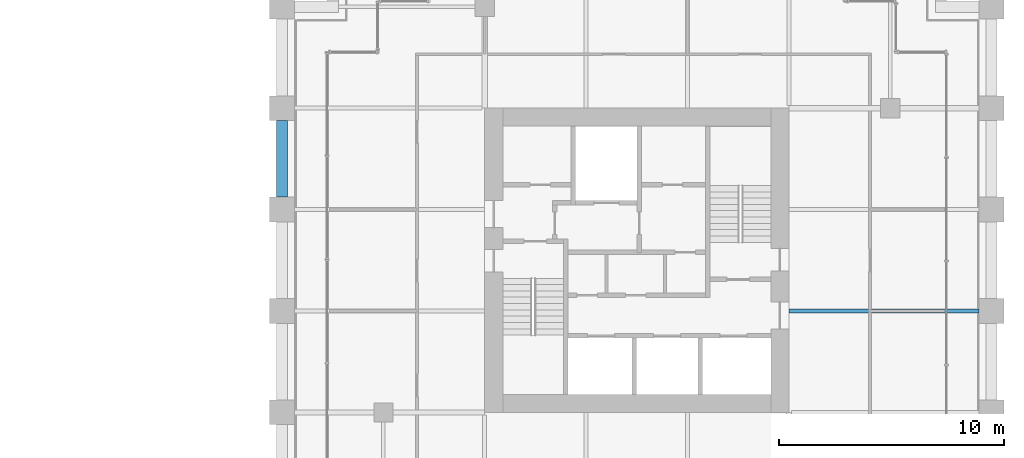
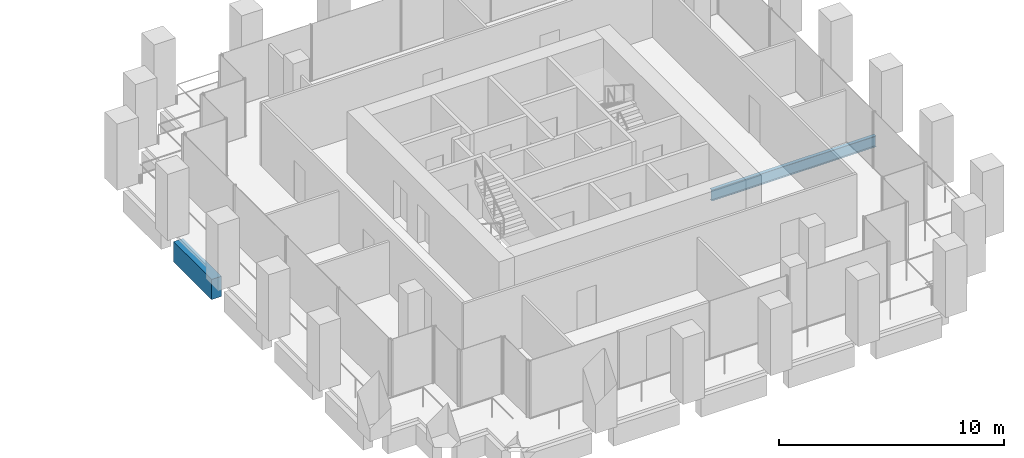
# One storey, part 39 of 56: 2 beams.
"""IFC4 building model written with IfcOpenShell, lengths in metres."""

from ifc_helpers import new_model, si_unit, direction, frame, origin, origin_2d, place, context, subcontext, project, spatial, rectangle, i_section, extrude, material, material_profile, profile_set, type_object, element, save


model = new_model("IFC4")

# Units and contexts
model_context = context("Model", 3, precision=1e-05, world=origin(), true_north=direction((0.0, 1.0)))
body_context = subcontext(model_context, "Body", "Model", "MODEL_VIEW")
ifc_project = project(units=[si_unit("LENGTHUNIT", "METRE"), si_unit("AREAUNIT", "SQUARE_METRE"), si_unit("VOLUMEUNIT", "CUBIC_METRE"), si_unit("PLANEANGLEUNIT", "RADIAN"), si_unit("MASSUNIT", "GRAM", prefix="KILO")], contexts=[model_context])

# Site, building, storey
site_placement = place(None, origin())
site = spatial("IfcSite", under=ifc_project, at=site_placement, CompositionType="ELEMENT")
building_placement = place(site_placement, origin())
building = spatial("IfcBuilding", under=site, at=building_placement, Name="Altepetl Exchange Towers", CompositionType="ELEMENT")
storey_placement = place(building_placement, frame((0.0, 0.0, 69.0)))
storey = spatial("IfcBuildingStorey", under=building, at=storey_placement, Name="L16", CompositionType="ELEMENT", Elevation=69.0)

# Beams
ifc_material_1 = material(Name="Steel S355", Category="steel")
ifc_material_profile_1 = material_profile(ifc_material_1, i_section(OverallWidth=0.177978515625, OverallDepth=0.59912109375, WebThickness=0.010009765625, FlangeThickness=0.0126953125, at=origin_2d()), Name="W24X55")
ifc_profile_set_1 = profile_set([ifc_material_profile_1], Name="Steel S355")
beam_type_1 = type_object("IfcBeamType", Name="Floor beam W24X55", PredefinedType="BEAM", material=ifc_profile_set_1)
beam_1_placement = place(storey_placement, frame((117.0, 40.5, -0.449462890625), z_axis=(1.0, 0.0, 0.0), x_axis=(0.0, 1.0, 0.0)))
element("IfcBeam", 1, at=beam_1_placement, inside=storey, type_object=beam_type_1, Name="bm:B:L16:006", PredefinedType="BEAM", context=body_context, shape_type="SweptSolid", body=[
    extrude(i_section(OverallWidth=0.177978515625, OverallDepth=0.59912109375, WebThickness=0.010009765625, FlangeThickness=0.0126953125, at=origin_2d()), origin(), (0.0, 0.0, 1.0), 8.449951171875),
])
ifc_material_2 = material(Name="Concrete C50/60 precast with cantera rosa facing", Category="concrete")
ifc_material_profile_2 = material_profile(ifc_material_2, rectangle(XDim=0.5, YDim=1.10009765625, at=origin_2d()), Name="500 x 1100")
ifc_profile_set_2 = profile_set([ifc_material_profile_2], Name="Concrete C50/60 precast with cantera rosa facing")
beam_type_2 = type_object("IfcBeamType", Name="Spandrel beam 500x1100 cantera rosa", PredefinedType="SPANDREL", material=ifc_profile_set_2)
beam_2_placement = place(storey_placement, frame((94.5, 48.949951171875, -0.699951171875), z_axis=(0.0, -1.0, 0.0), x_axis=(1.0, 0.0, 0.0)))
element("IfcBeam", 2, at=beam_2_placement, inside=storey, type_object=beam_type_2, Name="sp:B:L16:028", PredefinedType="SPANDREL", context=body_context, shape_type="SweptSolid", body=[
    extrude(rectangle(XDim=0.5, YDim=1.10009765625, at=origin_2d()), origin(), (0.0, 0.0, 1.0), 3.39990234375),
])

save(model, "model.ifc")
